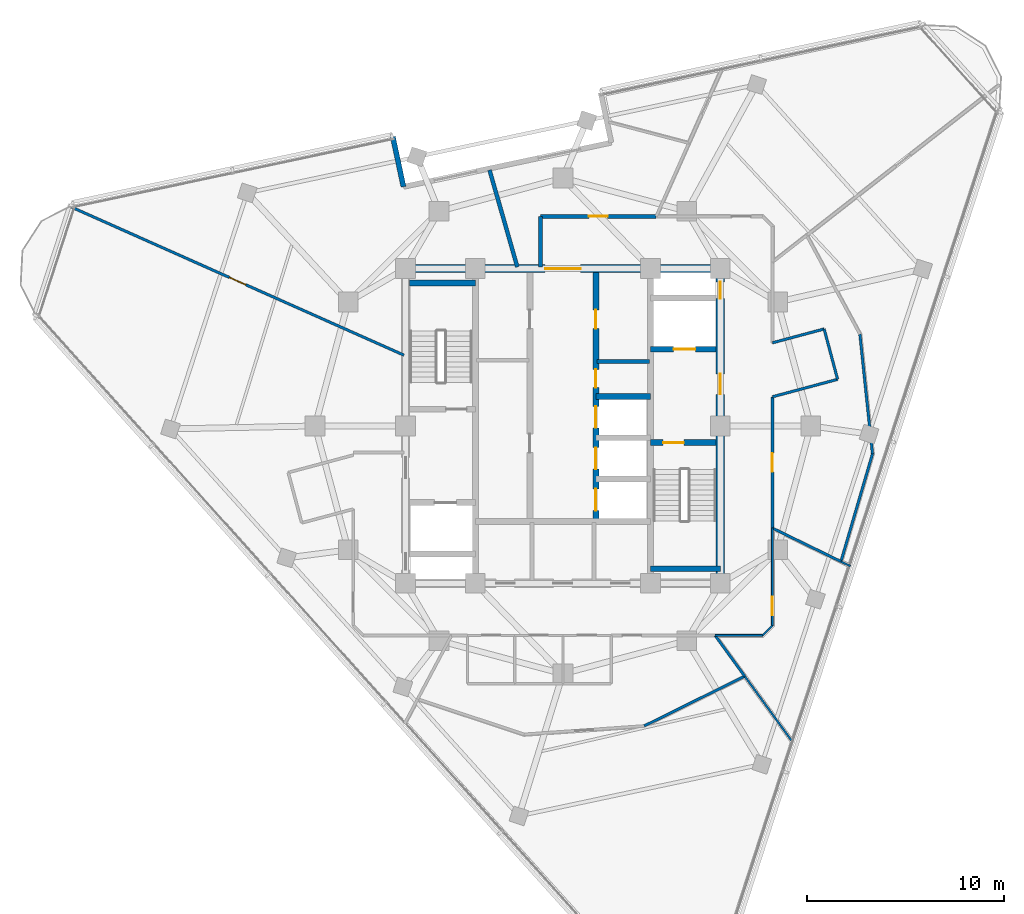
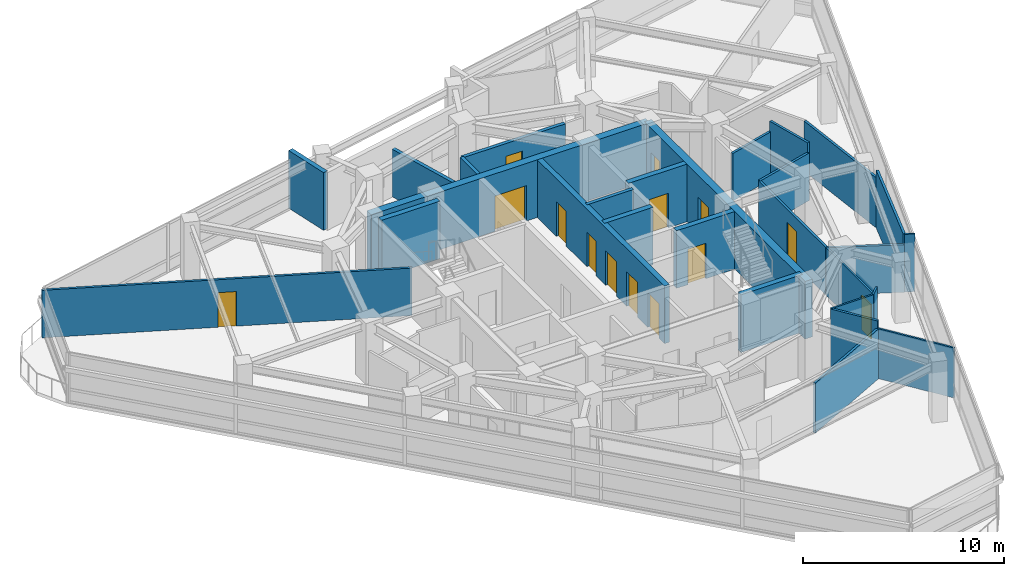
# One storey, part 9 of 15: 28 walls, 14 doors, 14 openings.
"""IFC4 building model written with IfcOpenShell, lengths in metres."""

from ifc_helpers import new_model, si_unit, direction, frame, frame_2d, origin, place, context, subcontext, project, spatial, rectangle, extrude, material, layer, layer_set, type_object, element, fill, save


model = new_model("IFC4")

# Units and contexts
model_context = context("Model", 3, precision=1e-05, world=origin(), true_north=direction((0.0, 1.0)))
body_context = subcontext(model_context, "Body", "Model", "MODEL_VIEW")
ifc_project = project(units=[si_unit("LENGTHUNIT", "METRE"), si_unit("AREAUNIT", "SQUARE_METRE"), si_unit("VOLUMEUNIT", "CUBIC_METRE"), si_unit("PLANEANGLEUNIT", "RADIAN"), si_unit("MASSUNIT", "GRAM", prefix="KILO")], contexts=[model_context])

# Site, building, storey
site_placement = place(None, origin())
site = spatial("IfcSite", under=ifc_project, at=site_placement, CompositionType="ELEMENT")
building_placement = place(site_placement, origin())
building = spatial("IfcBuilding", under=site, at=building_placement, Name="Terralouvre Media Tower", CompositionType="ELEMENT")
storey_placement = place(building_placement, frame((0.0, 0.0, 301.699951171875)))
storey = spatial("IfcBuildingStorey", under=building, at=storey_placement, Name="L78", CompositionType="ELEMENT", Elevation=301.699951171875)

# Wall
ifc_material_1 = material(Name="Concrete C50/60", Category="concrete")
ifc_layer_1 = layer(ifc_material_1, 0.300048828125, Name="Core Internal Shaft Wall CW-300")
ifc_layer_set_1 = layer_set([ifc_layer_1], Name="Concrete C50/60")
wall_type_1 = type_object("IfcWallType", Name="Core Internal Shaft Wall CW-300", PredefinedType="SHEAR", material=ifc_layer_set_1)
wall_1_placement = place(storey_placement, frame((-7.7900390625, 7.260009765625, 0.0), z_axis=(0.0, 0.0, 1.0), x_axis=(1.0, 0.0, 0.0)))
element("IfcWall", 1, at=wall_1_placement, inside=storey, type_object=wall_type_1, Name="L78 Core Shaft Wall ST1F", PredefinedType="SHEAR", context=body_context, shape_type="SweptSolid", body=[
    extrude(rectangle(XDim=3.340087890625, YDim=0.300048828125, at=frame_2d((1.669921875, 0.0))), origin(), (0.0, 0.0, 1.0), 3.5),
])

# Wall, opening, door
wall_2_placement = place(storey_placement, frame((4.449951171875, -0.85009765625, 0.0), z_axis=(0.0, 0.0, 1.0), x_axis=(1.0, 0.0, 0.0)))
wall_2 = element("IfcWall", 2, at=wall_2_placement, inside=storey, type_object=wall_type_1, Name="L78 Core Shaft Wall ST2D", PredefinedType="SHEAR", context=body_context, shape_type="SweptSolid", body=[
    extrude(rectangle(XDim=3.340087890625, YDim=0.300048828125, at=frame_2d((1.669921875, 0.0))), origin(), (0.0, 0.0, 1.0), 3.5),
])
opening_1_placement = place(wall_2_placement, frame((0.64990234375, 0.0, 0.0)))
opening_1 = element("IfcOpeningElement", 3, at=opening_1_placement, cuts=wall_2, Name="Opening FD-01-105X215", PredefinedType="OPENING", context=body_context, shape_type="SweptSolid", body=[
    extrude(rectangle(XDim=1.050048828125, YDim=2.14990234375, at=frame_2d((0.52490234375, 1.074951171875))), frame((0.0, 0.159912109375, 0.0), z_axis=(0.0, -1.0, 0.0), x_axis=(1.0, 0.0, 0.0)), (0.0, 0.0, 1.0), 0.320068359375),
])
ifc_material_2 = material(Name="Galvanised steel fire-resisting leaf", Category="steel")
door_type_1 = type_object("IfcDoorType", Name="Stair and Firefighting Lobby Fire Door FD-01 (1050x2150)", OperationType="NOTDEFINED", PredefinedType="DOOR", material=ifc_material_2)
door_1_placement = place(opening_1_placement, origin())
door_1 = element("IfcDoor", 4, at=door_1_placement, inside=storey, type_object=door_type_1, Name="L78 ST-02 Exit Stair Door", OperationType="SINGLE_SWING_RIGHT", OverallHeight=2.14990234375, OverallWidth=1.050048828125, PredefinedType="DOOR", context=body_context, shape_type="SweptSolid", body=[
    extrude(rectangle(XDim=1.050048828125, YDim=2.14990234375, at=frame_2d((0.52490234375, 1.074951171875))), frame((0.0, 0.02490234375, 0.0), z_axis=(0.0, -1.0, 0.0), x_axis=(1.0, 0.0, 0.0)), (0.0, 0.0, 1.0), 0.050048828125),
])
fill(opening_1, door_1)

# Wall
wall_3_placement = place(storey_placement, frame((4.449951171875, -7.260009765625, 0.0), z_axis=(0.0, 0.0, 1.0), x_axis=(1.0, 0.0, 0.0)))
element("IfcWall", 5, at=wall_3_placement, inside=storey, type_object=wall_type_1, Name="L78 Core Shaft Wall ST2F", PredefinedType="SHEAR", context=body_context, shape_type="SweptSolid", body=[
    extrude(rectangle(XDim=3.550048828125, YDim=0.300048828125, at=frame_2d((1.77490234375, 0.0))), origin(), (0.0, 0.0, 1.0), 3.5),
])

# Wall, opening, door
wall_4_placement = place(storey_placement, frame((4.449951171875, 3.89990234375, 0.0), z_axis=(0.0, 0.0, 1.0), x_axis=(1.0, 0.0, 0.0)))
wall_4 = element("IfcWall", 6, at=wall_4_placement, inside=storey, type_object=wall_type_1, Name="L78 Core Shaft Wall FF2S", PredefinedType="SHEAR", context=body_context, shape_type="SweptSolid", body=[
    extrude(rectangle(XDim=3.340087890625, YDim=0.300048828125, at=frame_2d((1.669921875, 0.0))), origin(), (0.0, 0.0, 1.0), 3.5),
])
opening_2_placement = place(wall_4_placement, frame((1.179931640625, 0.0, 0.0)))
opening_2 = element("IfcOpeningElement", 7, at=opening_2_placement, cuts=wall_4, Name="Opening LD-FF", PredefinedType="OPENING", context=body_context, shape_type="SweptSolid", body=[
    extrude(rectangle(XDim=1.10009765625, YDim=2.10009765625, at=frame_2d((0.550048828125, 1.050048828125))), frame((0.0, 0.159912109375, 0.0), z_axis=(0.0, -1.0, 0.0), x_axis=(1.0, 0.0, 0.0)), (0.0, 0.0, 1.0), 0.320068359375),
])
ifc_material_3 = material(Name="Stainless steel 316 handrail and balustrade", Category="steel")
door_type_2 = type_object("IfcDoorType", Name="Firefighting Lift Sliding Landing Door LD-FF", OperationType="SLIDING_TO_LEFT", PredefinedType="DOOR", material=ifc_material_3)
door_2_placement = place(opening_2_placement, origin())
door_2 = element("IfcDoor", 8, at=door_2_placement, inside=storey, type_object=door_type_2, Name="L78 Firefighting Lift FFL-02 Landing Door", OperationType="SLIDING_TO_LEFT", OverallHeight=2.10009765625, OverallWidth=1.10009765625, PredefinedType="DOOR", context=body_context, shape_type="SweptSolid", body=[
    extrude(rectangle(XDim=1.10009765625, YDim=2.10009765625, at=frame_2d((0.550048828125, 1.050048828125))), frame((0.0, 0.02490234375, 0.0), z_axis=(0.0, -1.0, 0.0), x_axis=(1.0, 0.0, 0.0)), (0.0, 0.0, 1.0), 0.050048828125),
])
fill(opening_2, door_2)

# Wall, openings, doors
wall_5_placement = place(storey_placement, frame((1.679931640625, -4.85009765625, 0.0), z_axis=(0.0, 0.0, 1.0), x_axis=(0.0, 1.0, 0.0)))
wall_5 = element("IfcWall", 9, at=wall_5_placement, inside=storey, type_object=wall_type_1, Name="L78 Core Shaft Wall LBE", PredefinedType="SHEAR", context=body_context, shape_type="SweptSolid", body=[
    extrude(rectangle(XDim=12.64013671875, YDim=0.300048828125, at=frame_2d((6.320068359375, 0.0))), origin(), (0.0, 0.0, 1.0), 3.5),
])
opening_3_placement = place(wall_5_placement, frame((0.550048828125, 0.0, 0.0)))
opening_3 = element("IfcOpeningElement", 10, at=opening_3_placement, cuts=wall_5, Name="Opening LD-PL", PredefinedType="OPENING", context=body_context, shape_type="SweptSolid", body=[
    extrude(rectangle(XDim=1.10009765625, YDim=2.10009765625, at=frame_2d((0.550048828125, 1.050048828125))), frame((0.0, 0.159912109375, 0.0), z_axis=(0.0, -1.0, 0.0), x_axis=(1.0, 0.0, 0.0)), (0.0, 0.0, 1.0), 0.320068359375),
])
opening_4_placement = place(wall_5_placement, frame((2.64990234375, 0.0, 0.0)))
opening_4 = element("IfcOpeningElement", 11, at=opening_4_placement, cuts=wall_5, Name="Opening LD-PL", PredefinedType="OPENING", context=body_context, shape_type="SweptSolid", body=[
    extrude(rectangle(XDim=1.10009765625, YDim=2.10009765625, at=frame_2d((0.550048828125, 1.050048828125))), frame((0.0, 0.159912109375, 0.0), z_axis=(0.0, -1.0, 0.0), x_axis=(1.0, 0.0, 0.0)), (0.0, 0.0, 1.0), 0.320068359375),
])
opening_5_placement = place(wall_5_placement, frame((4.75, 0.0, 0.0)))
opening_5 = element("IfcOpeningElement", 12, at=opening_5_placement, cuts=wall_5, Name="Opening LD-PL", PredefinedType="OPENING", context=body_context, shape_type="SweptSolid", body=[
    extrude(rectangle(XDim=1.10009765625, YDim=2.10009765625, at=frame_2d((0.550048828125, 1.050048828125))), frame((0.0, 0.159912109375, 0.0), z_axis=(0.0, -1.0, 0.0), x_axis=(1.0, 0.0, 0.0)), (0.0, 0.0, 1.0), 0.320068359375),
])
opening_6_placement = place(wall_5_placement, frame((6.800048828125, 0.0, 0.0)))
opening_6 = element("IfcOpeningElement", 13, at=opening_6_placement, cuts=wall_5, Name="Opening FD-05-92X210", PredefinedType="OPENING", context=body_context, shape_type="SweptSolid", body=[
    extrude(rectangle(XDim=0.919921875, YDim=2.10009765625, at=frame_2d((0.4599609375, 1.050048828125))), frame((0.0, 0.159912109375, 0.0), z_axis=(0.0, -1.0, 0.0), x_axis=(1.0, 0.0, 0.0)), (0.0, 0.0, 1.0), 0.320068359375),
])
opening_7_placement = place(wall_5_placement, frame((9.800048828125, 0.0, 0.0)))
opening_7 = element("IfcOpeningElement", 14, at=opening_7_placement, cuts=wall_5, Name="Opening FD-02-95X210", PredefinedType="OPENING", context=body_context, shape_type="SweptSolid", body=[
    extrude(rectangle(XDim=0.949951171875, YDim=2.10009765625, at=frame_2d((0.47509765625, 1.050048828125))), frame((0.0, 0.159912109375, 0.0), z_axis=(0.0, -1.0, 0.0), x_axis=(1.0, 0.0, 0.0)), (0.0, 0.0, 1.0), 0.320068359375),
])
ifc_material_4 = material(Name="Galvanised steel fire-resisting leaf", Category="steel")
door_type_3 = type_object("IfcDoorType", Name="Core Accessible Closet Fire Door FD-05 (920x2100)", OperationType="NOTDEFINED", PredefinedType="DOOR", material=ifc_material_4)
door_3_placement = place(opening_6_placement, origin())
door_3 = element("IfcDoor", 15, at=door_3_placement, inside=storey, type_object=door_type_3, Name="L78 Core Safe Store Door", OperationType="SINGLE_SWING_LEFT", OverallHeight=2.10009765625, OverallWidth=0.919921875, PredefinedType="DOOR", context=body_context, shape_type="SweptSolid", body=[
    extrude(rectangle(XDim=0.919921875, YDim=2.10009765625, at=frame_2d((0.4599609375, 1.050048828125))), frame((0.0, 0.02490234375, 0.0), z_axis=(0.0, -1.0, 0.0), x_axis=(1.0, 0.0, 0.0)), (0.0, 0.0, 1.0), 0.050048828125),
])
fill(opening_6, door_3)
ifc_material_5 = material(Name="Stainless steel 316 handrail and balustrade", Category="steel")
door_type_4 = type_object("IfcDoorType", Name="Passenger Lift Sliding Landing Door LD-PL", OperationType="SLIDING_TO_LEFT", PredefinedType="DOOR", material=ifc_material_5)
door_4_placement = place(opening_3_placement, origin())
door_4 = element("IfcDoor", 16, at=door_4_placement, inside=storey, type_object=door_type_4, Name="L78 High-Rise Lift PL-H1 Landing Door", OperationType="SLIDING_TO_LEFT", OverallHeight=2.10009765625, OverallWidth=1.10009765625, PredefinedType="DOOR", context=body_context, shape_type="SweptSolid", body=[
    extrude(rectangle(XDim=1.10009765625, YDim=2.10009765625, at=frame_2d((0.550048828125, 1.050048828125))), frame((0.0, 0.02490234375, 0.0), z_axis=(0.0, -1.0, 0.0), x_axis=(1.0, 0.0, 0.0)), (0.0, 0.0, 1.0), 0.050048828125),
])
fill(opening_3, door_4)
door_5_placement = place(opening_4_placement, origin())
door_5 = element("IfcDoor", 17, at=door_5_placement, inside=storey, type_object=door_type_4, Name="L78 High-Rise Lift PL-H2 Landing Door", OperationType="SLIDING_TO_LEFT", OverallHeight=2.10009765625, OverallWidth=1.10009765625, PredefinedType="DOOR", context=body_context, shape_type="SweptSolid", body=[
    extrude(rectangle(XDim=1.10009765625, YDim=2.10009765625, at=frame_2d((0.550048828125, 1.050048828125))), frame((0.0, 0.02490234375, 0.0), z_axis=(0.0, -1.0, 0.0), x_axis=(1.0, 0.0, 0.0)), (0.0, 0.0, 1.0), 0.050048828125),
])
fill(opening_4, door_5)
door_6_placement = place(opening_5_placement, origin())
door_6 = element("IfcDoor", 18, at=door_6_placement, inside=storey, type_object=door_type_4, Name="L78 High-Rise Lift PL-H3 Landing Door", OperationType="SLIDING_TO_LEFT", OverallHeight=2.10009765625, OverallWidth=1.10009765625, PredefinedType="DOOR", context=body_context, shape_type="SweptSolid", body=[
    extrude(rectangle(XDim=1.10009765625, YDim=2.10009765625, at=frame_2d((0.550048828125, 1.050048828125))), frame((0.0, 0.02490234375, 0.0), z_axis=(0.0, -1.0, 0.0), x_axis=(1.0, 0.0, 0.0)), (0.0, 0.0, 1.0), 0.050048828125),
])
fill(opening_5, door_6)
ifc_material_6 = material(Name="Galvanised steel fire-resisting leaf", Category="steel")
door_type_5 = type_object("IfcDoorType", Name="Plant and Riser Fire Door FD-02 (950x2100)", OperationType="NOTDEFINED", PredefinedType="DOOR", material=ifc_material_6)
door_7_placement = place(opening_7_placement, origin())
door_7 = element("IfcDoor", 19, at=door_7_placement, inside=storey, type_object=door_type_5, Name="L78 Core IT Patch Plant Door", OperationType="SINGLE_SWING_RIGHT", OverallHeight=2.10009765625, OverallWidth=0.949951171875, PredefinedType="DOOR", context=body_context, shape_type="SweptSolid", body=[
    extrude(rectangle(XDim=0.949951171875, YDim=2.10009765625, at=frame_2d((0.47509765625, 1.050048828125))), frame((0.0, 0.02490234375, 0.0), z_axis=(0.0, -1.0, 0.0), x_axis=(1.0, 0.0, 0.0)), (0.0, 0.0, 1.0), 0.050048828125),
])
fill(opening_7, door_7)

# Wall
wall_6_placement = place(storey_placement, frame((1.679931640625, 1.5, 0.0), z_axis=(0.0, 0.0, 1.0), x_axis=(1.0, 0.0, 0.0)))
element("IfcWall", 20, at=wall_6_placement, inside=storey, type_object=wall_type_1, Name="L78 Core Shaft Wall PLMBOT", PredefinedType="SHEAR", context=body_context, shape_type="SweptSolid", body=[
    extrude(rectangle(XDim=2.77001953125, YDim=0.300048828125, at=frame_2d((1.385009765625, 0.0))), origin(), (0.0, 0.0, 1.0), 3.5),
])

# Wall, openings, doors
ifc_material_7 = material(Name="Concrete C60/75", Category="concrete")
ifc_layer_2 = layer(ifc_material_7, 0.419921875, Name="Core Reinforced Concrete Shear Wall CW-420")
ifc_layer_set_2 = layer_set([ifc_layer_2], Name="Concrete C60/75")
wall_type_2 = type_object("IfcWallType", Name="Core Reinforced Concrete Shear Wall CW-420", PredefinedType="SHEAR", material=ifc_layer_set_2)
wall_7_placement = place(storey_placement, frame((8.0, -8.0, 0.0), z_axis=(0.0, 0.0, 1.0), x_axis=(0.0, 1.0, 0.0)))
wall_7 = element("IfcWall", 21, at=wall_7_placement, inside=storey, type_object=wall_type_2, Name="L78 E Core Shear Wall", PredefinedType="SHEAR", context=body_context, shape_type="SweptSolid", body=[
    extrude(rectangle(XDim=16.0, YDim=0.419921875, at=frame_2d((8.0, 0.0))), origin(), (0.0, 0.0, 1.0), 3.5),
])
opening_8_placement = place(wall_7_placement, frame((9.60009765625, 0.0, 0.0)))
opening_8 = element("IfcOpeningElement", 22, at=opening_8_placement, cuts=wall_7, Name="Opening FD-01-105X215", PredefinedType="OPENING", context=body_context, shape_type="SweptSolid", body=[
    extrude(rectangle(XDim=1.050048828125, YDim=2.14990234375, at=frame_2d((0.52490234375, 1.074951171875))), frame((0.0, 0.219970703125, 0.0), z_axis=(0.0, -1.0, 0.0), x_axis=(1.0, 0.0, 0.0)), (0.0, 0.0, 1.0), 0.43994140625),
])
opening_9_placement = place(wall_7_placement, frame((14.468994140625, 0.0, 0.0)))
opening_9 = element("IfcOpeningElement", 23, at=opening_9_placement, cuts=wall_7, Name="Opening TD-R1", PredefinedType="OPENING", context=body_context, shape_type="SweptSolid", body=[
    extrude(rectangle(XDim=0.85009765625, YDim=2.02001953125, at=frame_2d((0.425048828125, 1.010009765625))), frame((0.0, 0.219970703125, 0.0), z_axis=(0.0, -1.0, 0.0), x_axis=(1.0, 0.0, 0.0)), (0.0, 0.0, 1.0), 0.43994140625),
])
ifc_material_8 = material(Name="Galvanised steel fire-resisting leaf", Category="steel")
door_type_6 = type_object("IfcDoorType", Name="Riser Inspection Access Trapdoor TD-R1", OperationType="NOTDEFINED", PredefinedType="TRAPDOOR", material=ifc_material_8)
door_8_placement = place(opening_9_placement, origin())
door_8 = element("IfcDoor", 24, at=door_8_placement, inside=storey, type_object=door_type_6, Name="L78 East Comms Riser Access Trapdoor", OperationType="SINGLE_SWING_RIGHT", OverallHeight=2.02001953125, OverallWidth=0.85009765625, PredefinedType="TRAPDOOR", context=body_context, shape_type="SweptSolid", body=[
    extrude(rectangle(XDim=0.85009765625, YDim=2.02001953125, at=frame_2d((0.425048828125, 1.010009765625))), frame((0.0, 0.02490234375, 0.0), z_axis=(0.0, -1.0, 0.0), x_axis=(1.0, 0.0, 0.0)), (0.0, 0.0, 1.0), 0.050048828125),
])
fill(opening_9, door_8)
door_9_placement = place(opening_8_placement, origin())
door_9 = element("IfcDoor", 25, at=door_9_placement, inside=storey, type_object=door_type_1, Name="L78 East Firefighting Lobby Entry Door", OperationType="SINGLE_SWING_LEFT", OverallHeight=2.14990234375, OverallWidth=1.050048828125, PredefinedType="DOOR", context=body_context, shape_type="SweptSolid", body=[
    extrude(rectangle(XDim=1.050048828125, YDim=2.14990234375, at=frame_2d((0.52490234375, 1.074951171875))), frame((0.0, 0.02490234375, 0.0), z_axis=(0.0, -1.0, 0.0), x_axis=(1.0, 0.0, 0.0)), (0.0, 0.0, 1.0), 0.050048828125),
])
fill(opening_8, door_9)

# Wall, opening, door
wall_8_placement = place(storey_placement, frame((-8.0, 8.0, 0.0), z_axis=(0.0, 0.0, 1.0), x_axis=(1.0, 0.0, 0.0)))
wall_8 = element("IfcWall", 26, at=wall_8_placement, inside=storey, type_object=wall_type_2, Name="L78 N Core Shear Wall", PredefinedType="SHEAR", context=body_context, shape_type="SweptSolid", body=[
    extrude(rectangle(XDim=16.0, YDim=0.419921875, at=frame_2d((8.0, 0.0))), origin(), (0.0, 0.0, 1.0), 3.5),
])
opening_10_placement = place(wall_8_placement, frame((7.10009765625, 0.0, 0.0)))
opening_10 = element("IfcOpeningElement", 27, at=opening_10_placement, cuts=wall_8, Name="Opening FD-03", PredefinedType="OPENING", context=body_context, shape_type="SweptSolid", body=[
    extrude(rectangle(XDim=1.800048828125, YDim=2.14990234375, at=frame_2d((0.89990234375, 1.074951171875))), frame((0.0, 0.219970703125, 0.0), z_axis=(0.0, -1.0, 0.0), x_axis=(1.0, 0.0, 0.0)), (0.0, 0.0, 1.0), 0.43994140625),
])
ifc_material_9 = material(Name="Galvanised steel fire-resisting leaf", Category="steel")
door_type_7 = type_object("IfcDoorType", Name="Corridor Smoke-Control Double Door FD-03", OperationType="DOUBLE_DOOR_SINGLE_SWING", PredefinedType="DOOR", material=ifc_material_9)
door_10_placement = place(opening_10_placement, origin())
door_10 = element("IfcDoor", 28, at=door_10_placement, inside=storey, type_object=door_type_7, Name="L78 Central Lift Lobby Portal Door", OperationType="DOUBLE_DOOR_SINGLE_SWING", OverallHeight=2.14990234375, OverallWidth=1.800048828125, PredefinedType="DOOR", context=body_context, shape_type="SweptSolid", body=[
    extrude(rectangle(XDim=1.800048828125, YDim=2.14990234375, at=frame_2d((0.89990234375, 1.074951171875))), frame((0.0, 0.02490234375, 0.0), z_axis=(0.0, -1.0, 0.0), x_axis=(1.0, 0.0, 0.0)), (0.0, 0.0, 1.0), 0.050048828125),
])
fill(opening_10, door_10)

# Walls
ifc_material_10 = material(Name="Low-iron laminated double glazing with solar-control coating", Category="glass")
ifc_layer_3 = layer(ifc_material_10, 0.10009765625, Name="Demountable Glazed Office Partition PT-GL100")
ifc_layer_set_3 = layer_set([ifc_layer_3], Name="Low-iron laminated double glazing with solar-control coating")
wall_type_3 = type_object("IfcWallType", Name="Demountable Glazed Office Partition PT-GL100", PredefinedType="MOVABLE", material=ifc_layer_set_3)
wall_9_placement = place(storey_placement, frame((7.738037109375, -10.64990234375, 0.0), z_axis=(0.0, 0.0, 1.0), x_axis=(1.0, 0.0, 0.0)))
element("IfcWall", 29, at=wall_9_placement, inside=storey, type_object=wall_type_3, Name="L78 Interior Partition 018", PredefinedType="MOVABLE", context=body_context, shape_type="SweptSolid", body=[
    extrude(rectangle(XDim=2.411865234375, YDim=0.10009765625, at=frame_2d((1.2060546875, 0.0))), origin(), (0.0, 0.0, 1.0), 3.5),
])
wall_10_placement = place(storey_placement, frame((10.14990234375, -10.64990234375, 0.0), z_axis=(0.0, 0.0, 1.0), x_axis=(0.707106781187, 0.707106781187, 0.0)))
element("IfcWall", 30, at=wall_10_placement, inside=storey, type_object=wall_type_3, Name="L78 Interior Partition 019", PredefinedType="MOVABLE", context=body_context, shape_type="SweptSolid", body=[
    extrude(rectangle(XDim=0.70703125, YDim=0.10009765625, at=frame_2d((0.353515625, 0.0))), origin(), (0.0, 0.0, 1.0), 3.5),
])

# Wall, opening, door
wall_11_placement = place(storey_placement, frame((10.64990234375, -10.14990234375, 0.0), z_axis=(0.0, 0.0, 1.0), x_axis=(0.0, 1.0, 0.0)))
wall_11 = element("IfcWall", 31, at=wall_11_placement, inside=storey, type_object=wall_type_3, Name="L78 Interior Partition 020", PredefinedType="MOVABLE", context=body_context, shape_type="SweptSolid", body=[
    extrude(rectangle(XDim=4.955810546875, YDim=0.10009765625, at=frame_2d((2.47802734375, 0.0))), origin(), (0.0, 0.0, 1.0), 2.885009765625),
])
opening_11_placement = place(wall_11_placement, frame((0.51611328125, 0.0, 0.0)))
opening_11 = element("IfcOpeningElement", 32, at=opening_11_placement, cuts=wall_11, Name="Opening ID-02-95X210", PredefinedType="OPENING", context=body_context, shape_type="SweptSolid", body=[
    extrude(rectangle(XDim=0.949951171875, YDim=2.10009765625, at=frame_2d((0.47509765625, 1.050048828125))), frame((0.0, 0.06005859375, 0.0), z_axis=(0.0, -1.0, 0.0), x_axis=(1.0, 0.0, 0.0)), (0.0, 0.0, 1.0), 0.1201171875),
])
ifc_material_11 = material(Name="Engineered hardwood acoustic timber leaf", Category="wood")
door_type_8 = type_object("IfcDoorType", Name="Office and Meeting Room Door ID-02 (950x2100)", OperationType="NOTDEFINED", PredefinedType="DOOR", material=ifc_material_11)
door_11_placement = place(opening_11_placement, origin())
door_11 = element("IfcDoor", 33, at=door_11_placement, inside=storey, type_object=door_type_8, Name="L78 Design Critique Boardroom 5 Door", OperationType="SINGLE_SWING_RIGHT", OverallHeight=2.10009765625, OverallWidth=0.949951171875, PredefinedType="DOOR", context=body_context, shape_type="SweptSolid", body=[
    extrude(rectangle(XDim=0.949951171875, YDim=2.10009765625, at=frame_2d((0.47509765625, 1.050048828125))), frame((0.0, 0.02490234375, 0.0), z_axis=(0.0, -1.0, 0.0), x_axis=(1.0, 0.0, 0.0)), (0.0, 0.0, 1.0), 0.050048828125),
])
fill(opening_11, door_11)

# Walls
wall_12_placement = place(storey_placement, frame((11.69482421875, -16.095703125, 0.0), z_axis=(0.0, 0.0, 1.0), x_axis=(-0.587938546927, 0.808905597111, 0.0)))
element("IfcWall", 34, at=wall_12_placement, inside=storey, type_object=wall_type_3, Name="L78 Interior Partition 045", PredefinedType="MOVABLE", context=body_context, shape_type="SweptSolid", body=[
    extrude(rectangle(XDim=4.172119140625, YDim=0.10009765625, at=frame_2d((2.0859375, 0.0))), origin(), (0.0, 0.0, 1.0), 3.03515625),
])
wall_13_placement = place(storey_placement, frame((14.609375, -7.125732421875, 0.0), z_axis=(0.0, 0.0, 1.0), x_axis=(-0.898533726223, 0.438904480313, 0.0)))
element("IfcWall", 35, at=wall_13_placement, inside=storey, type_object=wall_type_3, Name="L78 Interior Partition 046", PredefinedType="MOVABLE", context=body_context, shape_type="SweptSolid", body=[
    extrude(rectangle(XDim=0.530029296875, YDim=0.10009765625, at=frame_2d((0.26513671875, 0.0))), origin(), (0.0, 0.0, 1.0), 3.5),
])
ifc_material_12 = material(Name="Fire-rated gypsum board drywall partition")
ifc_layer_4 = layer(ifc_material_12, 0.199951171875, Name="Fire-Rated Shaft and Lobby Partition FW-200")
ifc_layer_set_4 = layer_set([ifc_layer_4], Name="Fire-rated gypsum board drywall partition")
wall_type_4 = type_object("IfcWallType", Name="Fire-Rated Shaft and Lobby Partition FW-200", PredefinedType="SOLIDWALL", material=ifc_layer_set_4)
wall_14_placement = place(storey_placement, frame((1.719970703125, 3.27001953125, 0.0), z_axis=(0.0, 0.0, 1.0), x_axis=(1.0, 0.0, 0.0)))
element("IfcWall", 36, at=wall_14_placement, inside=storey, type_object=wall_type_4, Name="L78 Core East Sub-Partition 1", PredefinedType="SOLIDWALL", context=body_context, shape_type="SweptSolid", body=[
    extrude(rectangle(XDim=2.679931640625, YDim=0.199951171875, at=frame_2d((1.33984375, 0.0))), origin(), (0.0, 0.0, 1.0), 3.5),
])

# Wall, opening, door
wall_15_placement = place(storey_placement, frame((4.741943359375, 10.64990234375, 0.0), z_axis=(0.0, 0.0, 1.0), x_axis=(-1.0, 0.0, 0.0)))
wall_15 = element("IfcWall", 37, at=wall_15_placement, inside=storey, type_object=wall_type_4, Name="L78 Interior Partition 024", PredefinedType="SOLIDWALL", context=body_context, shape_type="SweptSolid", body=[
    extrude(rectangle(XDim=5.891845703125, YDim=0.199951171875, at=frame_2d((2.94580078125, 0.0))), origin(), (0.0, 0.0, 1.0), 2.885009765625),
])
opening_12_placement = place(wall_15_placement, frame((2.470947265625, 0.0, 0.0)))
opening_12 = element("IfcOpeningElement", 38, at=opening_12_placement, cuts=wall_15, Name="Opening FD-02-95X210", PredefinedType="OPENING", context=body_context, shape_type="SweptSolid", body=[
    extrude(rectangle(XDim=0.949951171875, YDim=2.10009765625, at=frame_2d((0.47509765625, 1.050048828125))), frame((0.0, 0.10986328125, 0.0), z_axis=(0.0, -1.0, 0.0), x_axis=(1.0, 0.0, 0.0)), (0.0, 0.0, 1.0), 0.219970703125),
])
door_12_placement = place(opening_12_placement, origin())
door_12 = element("IfcDoor", 39, at=door_12_placement, inside=storey, type_object=door_type_5, Name="L78 Render Cluster Server Room 9 Door", OperationType="SINGLE_SWING_RIGHT", OverallHeight=2.10009765625, OverallWidth=0.949951171875, PredefinedType="DOOR", context=body_context, shape_type="SweptSolid", body=[
    extrude(rectangle(XDim=0.949951171875, YDim=2.10009765625, at=frame_2d((0.47509765625, 1.050048828125))), frame((0.0, 0.02490234375, 0.0), z_axis=(0.0, -1.0, 0.0), x_axis=(1.0, 0.0, 0.0)), (0.0, 0.0, 1.0), 0.050048828125),
])
fill(opening_12, door_12)

# Walls
wall_16_placement = place(storey_placement, frame((-1.14990234375, 10.64990234375, 0.0), z_axis=(0.0, 0.0, 1.0), x_axis=(0.0, -1.0, 0.0)))
element("IfcWall", 40, at=wall_16_placement, inside=storey, type_object=wall_type_4, Name="L78 Interior Partition 025", PredefinedType="SOLIDWALL", context=body_context, shape_type="SweptSolid", body=[
    extrude(rectangle(XDim=2.56982421875, YDim=0.199951171875, at=frame_2d((1.284912109375, 0.0))), origin(), (0.0, 0.0, 1.0), 2.885009765625),
])
wall_17_placement = place(storey_placement, frame((-3.72900390625, 13.005126953125, 0.0), z_axis=(0.0, 0.0, 1.0), x_axis=(0.275658725111, -0.961255568135, 0.0)))
element("IfcWall", 41, at=wall_17_placement, inside=storey, type_object=wall_type_4, Name="L78 Interior Partition 051", PredefinedType="SOLIDWALL", context=body_context, shape_type="SweptSolid", body=[
    extrude(rectangle(XDim=5.12353515625, YDim=0.199951171875, at=frame_2d((2.561767578125, 0.0))), origin(), (0.0, 0.0, 1.0), 2.885009765625),
])

# Wall, opening, door
ifc_material_13 = material(Name="Fire-rated gypsum board drywall partition")
ifc_layer_5 = layer(ifc_material_13, 0.135009765625, Name="Newsroom Acoustic Partition PT-135")
ifc_layer_set_5 = layer_set([ifc_layer_5], Name="Fire-rated gypsum board drywall partition")
wall_type_5 = type_object("IfcWallType", Name="Newsroom Acoustic Partition PT-135", PredefinedType="PARTITIONING", material=ifc_layer_set_5)
wall_18_placement = place(storey_placement, frame((10.64990234375, -5.194091796875, 0.0), z_axis=(0.0, 0.0, 1.0), x_axis=(0.0, 1.0, 0.0)))
wall_18 = element("IfcWall", 42, at=wall_18_placement, inside=storey, type_object=wall_type_5, Name="L78 Interior Partition 008", PredefinedType="PARTITIONING", context=body_context, shape_type="SweptSolid", body=[
    extrude(rectangle(XDim=6.676025390625, YDim=0.135009765625, at=frame_2d((3.337890625, 0.0))), origin(), (0.0, 0.0, 1.0), 2.885009765625),
])
opening_13_placement = place(wall_18_placement, frame((2.863037109375, 0.0, 0.0)))
opening_13 = element("IfcOpeningElement", 43, at=opening_13_placement, cuts=wall_18, Name="Opening ID-02-95X210", PredefinedType="OPENING", context=body_context, shape_type="SweptSolid", body=[
    extrude(rectangle(XDim=0.949951171875, YDim=2.10009765625, at=frame_2d((0.47509765625, 1.050048828125))), frame((0.0, 0.077392578125, 0.0), z_axis=(0.0, -1.0, 0.0), x_axis=(1.0, 0.0, 0.0)), (0.0, 0.0, 1.0), 0.155029296875),
])
door_13_placement = place(opening_13_placement, origin())
door_13 = element("IfcDoor", 44, at=door_13_placement, inside=storey, type_object=door_type_8, Name="L78 Interactive Graphics Open Office 2 Door", OperationType="SINGLE_SWING_LEFT", OverallHeight=2.10009765625, OverallWidth=0.949951171875, PredefinedType="DOOR", context=body_context, shape_type="SweptSolid", body=[
    extrude(rectangle(XDim=0.949951171875, YDim=2.10009765625, at=frame_2d((0.47509765625, 1.050048828125))), frame((0.0, 0.02490234375, 0.0), z_axis=(0.0, -1.0, 0.0), x_axis=(1.0, 0.0, 0.0)), (0.0, 0.0, 1.0), 0.050048828125),
])
fill(opening_13, door_13)

# Walls
wall_19_placement = place(storey_placement, frame((10.64990234375, 1.48193359375, 0.0), z_axis=(0.0, 0.0, 1.0), x_axis=(0.965961397105, 0.2586862565, 0.0)))
element("IfcWall", 45, at=wall_19_placement, inside=storey, type_object=wall_type_5, Name="L78 Interior Partition 009", PredefinedType="PARTITIONING", context=body_context, shape_type="SweptSolid", body=[
    extrude(rectangle(XDim=3.4287109375, YDim=0.135009765625, at=frame_2d((1.71435546875, 0.0))), origin(), (0.0, 0.0, 1.0), 2.885009765625),
])
wall_20_placement = place(storey_placement, frame((13.9619140625, 2.368896484375, 0.0), z_axis=(0.0, 0.0, 1.0), x_axis=(-0.258413725385, 0.966034340245, 0.0)))
element("IfcWall", 46, at=wall_20_placement, inside=storey, type_object=wall_type_5, Name="L78 Interior Partition 010", PredefinedType="PARTITIONING", context=body_context, shape_type="SweptSolid", body=[
    extrude(rectangle(XDim=2.650146484375, YDim=0.135009765625, at=frame_2d((1.3251953125, 0.0))), origin(), (0.0, 0.0, 1.0), 3.5),
])
wall_21_placement = place(storey_placement, frame((13.277099609375, 4.928955078125, 0.0), z_axis=(0.0, 0.0, 1.0), x_axis=(-0.965934830229, -0.258785439601, 0.0)))
element("IfcWall", 47, at=wall_21_placement, inside=storey, type_object=wall_type_5, Name="L78 Interior Partition 011", PredefinedType="PARTITIONING", context=body_context, shape_type="SweptSolid", body=[
    extrude(rectangle(XDim=2.719970703125, YDim=0.135009765625, at=frame_2d((1.35986328125, 0.0))), origin(), (0.0, 0.0, 1.0), 2.885009765625),
])

# Wall, opening, door
wall_22_placement = place(storey_placement, frame((-8.080078125, 3.59716796875, 0.0), z_axis=(0.0, 0.0, 1.0), x_axis=(-0.913542590258, 0.406743083266, 0.0)))
wall_22 = element("IfcWall", 48, at=wall_22_placement, inside=storey, type_object=wall_type_5, Name="L78 Interior Partition 028", PredefinedType="PARTITIONING", context=body_context, shape_type="SweptSolid", body=[
    extrude(rectangle(XDim=18.505126953125, YDim=0.135009765625, at=frame_2d((9.25244140625, 0.0))), origin(), (0.0, 0.0, 1.0), 2.885009765625),
])
opening_14_placement = place(wall_22_placement, frame((8.79248046875, 0.0, 0.0)))
opening_14 = element("IfcOpeningElement", 49, at=opening_14_placement, cuts=wall_22, Name="Opening ID-03-92X210", PredefinedType="OPENING", context=body_context, shape_type="SweptSolid", body=[
    extrude(rectangle(XDim=0.919921875, YDim=2.10009765625, at=frame_2d((0.4599609375, 1.050048828125))), frame((0.0, 0.077392578125, 0.0), z_axis=(0.0, -1.0, 0.0), x_axis=(1.0, 0.0, 0.0)), (0.0, 0.0, 1.0), 0.155029296875),
])
ifc_material_14 = material(Name="Engineered hardwood acoustic timber leaf", Category="wood")
door_type_9 = type_object("IfcDoorType", Name="Accessible Restroom and Suite Door ID-03 (920x2100)", OperationType="NOTDEFINED", PredefinedType="DOOR", material=ifc_material_14)
door_14_placement = place(opening_14_placement, origin())
door_14 = element("IfcDoor", 50, at=door_14_placement, inside=storey, type_object=door_type_9, Name="L78 Hardware Prototype Storage 10 Door", OperationType="SINGLE_SWING_RIGHT", OverallHeight=2.10009765625, OverallWidth=0.919921875, PredefinedType="DOOR", context=body_context, shape_type="SweptSolid", body=[
    extrude(rectangle(XDim=0.919921875, YDim=2.10009765625, at=frame_2d((0.4599609375, 1.050048828125))), frame((0.0, 0.02490234375, 0.0), z_axis=(0.0, -1.0, 0.0), x_axis=(1.0, 0.0, 0.0)), (0.0, 0.0, 1.0), 0.050048828125),
])
fill(opening_14, door_14)

# Walls
wall_23_placement = place(storey_placement, frame((10.64990234375, -5.194091796875, 0.0), z_axis=(0.0, 0.0, 1.0), x_axis=(0.898781159743, -0.438397567159, 0.0)))
element("IfcWall", 51, at=wall_23_placement, inside=storey, type_object=wall_type_5, Name="L78 Interior Partition 029", PredefinedType="PARTITIONING", context=body_context, shape_type="SweptSolid", body=[
    extrude(rectangle(XDim=3.87548828125, YDim=0.135009765625, at=frame_2d((1.937744140625, 0.0))), origin(), (0.0, 0.0, 1.0), 2.885009765625),
])
wall_24_placement = place(storey_placement, frame((14.133056640625, -6.89306640625, 0.0), z_axis=(0.0, 0.0, 1.0), x_axis=(0.281231672123, 0.959639904649, 0.0)))
element("IfcWall", 52, at=wall_24_placement, inside=storey, type_object=wall_type_5, Name="L78 Interior Partition 030", PredefinedType="PARTITIONING", context=body_context, shape_type="SweptSolid", body=[
    extrude(rectangle(XDim=5.699951171875, YDim=0.135009765625, at=frame_2d((2.85009765625, 0.0))), origin(), (0.0, 0.0, 1.0), 3.5),
])
wall_25_placement = place(storey_placement, frame((15.736083984375, -1.423095703125, 0.0), z_axis=(0.0, 0.0, 1.0), x_axis=(-0.104601717472, 0.994514193313, 0.0)))
element("IfcWall", 53, at=wall_25_placement, inside=storey, type_object=wall_type_5, Name="L78 Interior Partition 031", PredefinedType="PARTITIONING", context=body_context, shape_type="SweptSolid", body=[
    extrude(rectangle(XDim=6.119873046875, YDim=0.135009765625, at=frame_2d((3.06005859375, 0.0))), origin(), (0.0, 0.0, 1.0), 3.03515625),
])
wall_26_placement = place(storey_placement, frame((4.134033203125, -15.25, 0.0), z_axis=(0.0, 0.0, 1.0), x_axis=(0.896167979159, 0.443714945804, 0.0)))
element("IfcWall", 54, at=wall_26_placement, inside=storey, type_object=wall_type_5, Name="L78 Interior Partition 043", PredefinedType="PARTITIONING", context=body_context, shape_type="SweptSolid", body=[
    extrude(rectangle(XDim=5.69970703125, YDim=0.135009765625, at=frame_2d((2.849853515625, 0.0))), origin(), (0.0, 0.0, 1.0), 3.03515625),
])
wall_27_placement = place(storey_placement, frame((9.241943359375, -12.720947265625, 0.0), z_axis=(0.0, 0.0, 1.0), x_axis=(-0.58758169089, 0.80916485127, 0.0)))
element("IfcWall", 55, at=wall_27_placement, inside=storey, type_object=wall_type_5, Name="L78 Interior Partition 044", PredefinedType="PARTITIONING", context=body_context, shape_type="SweptSolid", body=[
    extrude(rectangle(XDim=2.5595703125, YDim=0.135009765625, at=frame_2d((1.27978515625, 0.0))), origin(), (0.0, 0.0, 1.0), 3.5),
])
ifc_material_15 = material(Name="Kiln-fired architectural terracotta rainscreen cladding", Category="masonry")
ifc_layer_6 = layer(ifc_material_15, 0.260009765625, Name="Recessed Sky-Garden Acoustic Wall EW-SG260")
ifc_layer_set_6 = layer_set([ifc_layer_6], Name="Kiln-fired architectural terracotta rainscreen cladding")
wall_type_6 = type_object("IfcWallType", Name="Recessed Sky-Garden Acoustic Wall EW-SG260", PredefinedType="SOLIDWALL", material=ifc_layer_set_6)
wall_28_placement = place(storey_placement, frame((-8.104736328125, 12.156982421875, 0.0), z_axis=(0.0, 0.0, 1.0), x_axis=(-0.207893569688, 0.978151452323, 0.0)))
element("IfcWall", 56, at=wall_28_placement, inside=storey, type_object=wall_type_6, Name="L78 WP Pocket Right Cheek Wall", PredefinedType="SOLIDWALL", context=body_context, shape_type="SweptSolid", body=[
    extrude(rectangle(XDim=2.60009765625, YDim=0.260009765625, at=frame_2d((1.300048828125, 0.0))), origin(), (0.0, 0.0, 1.0), 3.5),
])

save(model, "model.ifc")
